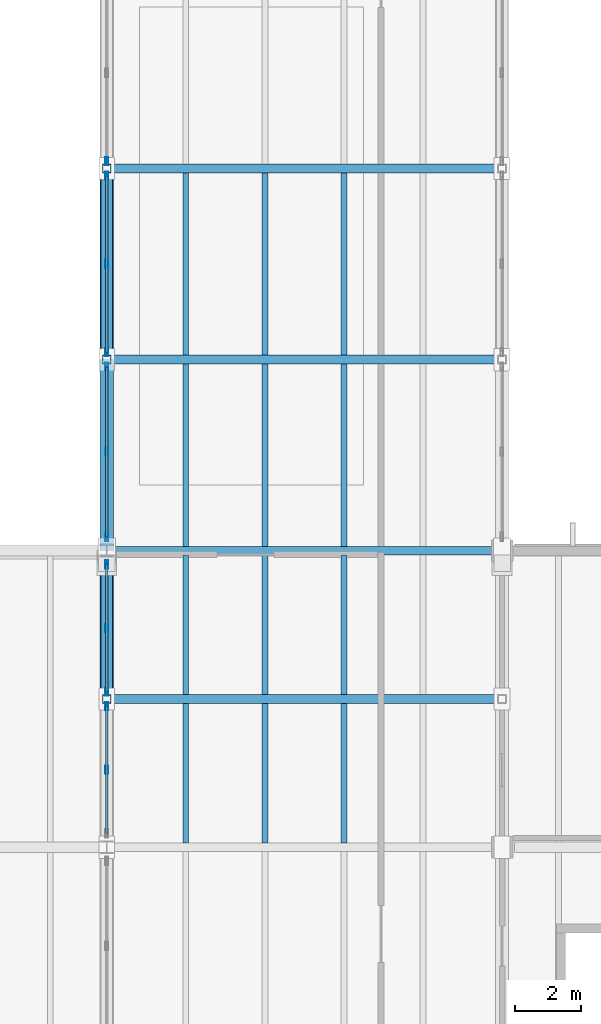
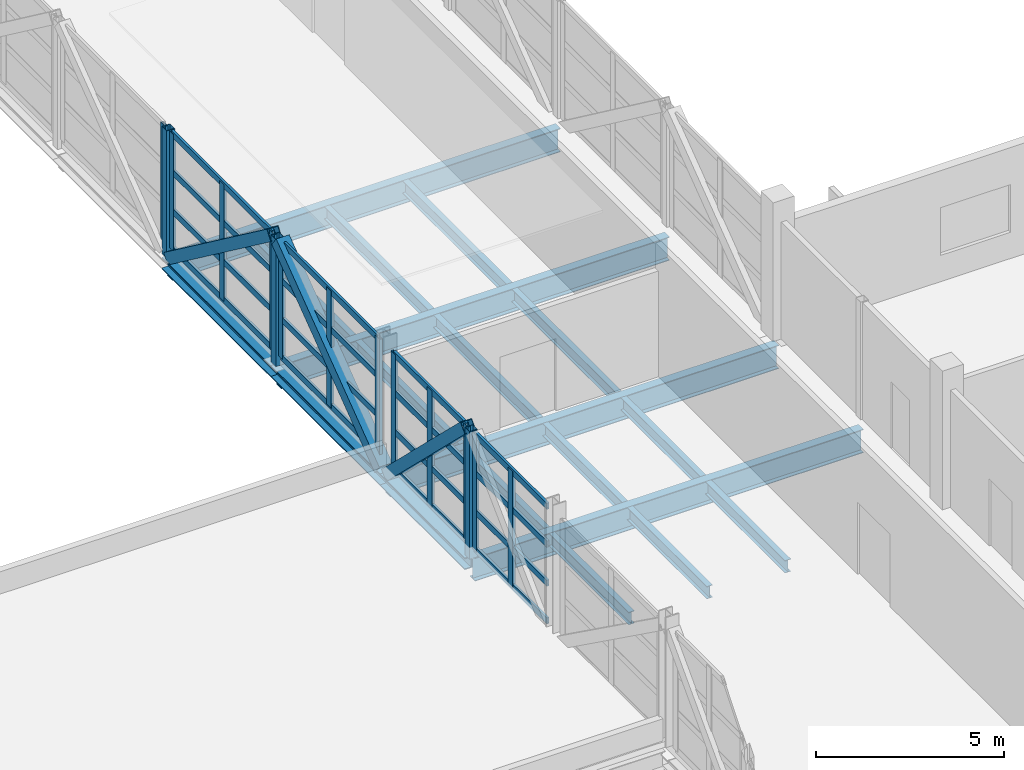
# One storey, part 13 of 63: 34 members, 19 beams, 5 elements without a shape of their own.
"""IFC4 building model written with IfcOpenShell, lengths in metres."""

import ifcopenshell
import ifcopenshell.guid

model = None  # the IFC model being written
_history = None  # IfcOwnerHistory: only IFC2X3 demands one
_inside = {}  # id of a spatial element -> (the spatial element, [elements in it])
_under = {}  # id of a project, library or spatial element -> (it, [spatial elements below it])
_declared = {}  # id of a project -> (the project, [libraries it declares])
_typed = {}  # id of a type object -> (the type object, [elements of that type])
_made_of = {}  # id of a material, layer set ... -> (it, [elements and type objects made of it])


def new_model(schema):
    """Start an empty IFC model of exactly this schema.

    Asked for "IFC4X3", IfcOpenShell would pick the latest addendum, in which some entities
    have other attributes; the version numbers below select the first issue.
    IFC2X3 requires an IfcOwnerHistory on every rooted entity: one is made here for all.
    """
    global model, _history
    if schema == "IFC4X3":
        model = ifcopenshell.file(schema_version=(4, 3, 0, 0))
    else:
        model = ifcopenshell.file(schema=schema)
    _inside.clear()
    _under.clear()
    _declared.clear()
    _typed.clear()
    _made_of.clear()
    _history = None
    if model.schema == "IFC2X3":
        org = make("IfcOrganization", Name="unknown")
        user = make(
            "IfcPersonAndOrganization",
            ThePerson=make("IfcPerson", FamilyName="unknown"),
            TheOrganization=org,
        )
        app = make(
            "IfcApplication",
            ApplicationDeveloper=org,
            Version="unknown",
            ApplicationFullName="unknown",
            ApplicationIdentifier="unknown",
        )
        _history = make(
            "IfcOwnerHistory",
            OwningUser=user,
            OwningApplication=app,
            ChangeAction="ADDED",
            CreationDate=0,
        )
    return model


def make(cls, **values):
    """One entity of the class cls with the attributes given. An attribute that is None is left unset."""
    return model.create_entity(
        cls, **{name: value for name, value in values.items() if value is not None}
    )


def rooted(cls, **values):
    """An entity with a GlobalId (a new one), such as an element, a storey or a relation."""
    return make(cls, GlobalId=ifcopenshell.guid.new(), OwnerHistory=_history, **values)


def si_unit(unit_type, name, prefix=None):
    """IfcSIUnit, for example si_unit("LENGTHUNIT", "METRE", prefix="MILLI")."""
    return make("IfcSIUnit", UnitType=unit_type, Prefix=prefix, Name=name)


def assignment(units):
    """IfcUnitAssignment: the units of a project."""
    return None if units is None else make("IfcUnitAssignment", Units=units)


def point(xyz):
    """IfcCartesianPoint."""
    return None if xyz is None else make("IfcCartesianPoint", Coordinates=xyz)


def direction(xyz):
    """IfcDirection."""
    return None if xyz is None else make("IfcDirection", DirectionRatios=xyz)


def frame(location, z_axis=None, x_axis=None):
    """IfcAxis2Placement3D, a coordinate frame: its origin and axes. An axis left out is left unset."""
    return make(
        "IfcAxis2Placement3D",
        Location=point(location),
        Axis=direction(z_axis),
        RefDirection=direction(x_axis),
    )


def frame_2d(location, x_axis=None):
    """IfcAxis2Placement2D, a coordinate frame in the plane: its origin and x axis."""
    return make(
        "IfcAxis2Placement2D", Location=point(location), RefDirection=direction(x_axis)
    )


def origin():
    """The frame at (0, 0, 0) with its axes left unset."""
    return frame((0.0, 0.0, 0.0))


def origin_2d():
    """The frame at (0, 0) in the plane with its x axis left unset."""
    return frame_2d((0.0, 0.0))


def place(relative_to, where):
    """IfcLocalPlacement: puts the frame where relative to a parent placement (None: the world)."""
    return make(
        "IfcLocalPlacement", PlacementRelTo=relative_to, RelativePlacement=where
    )


def context(
    kind, dimensions, precision=None, world=None, true_north=None, identifier=None
):
    """IfcGeometricRepresentationContext, for example the 3D "Model" context."""
    return make(
        "IfcGeometricRepresentationContext",
        ContextIdentifier=identifier,
        ContextType=kind,
        CoordinateSpaceDimension=dimensions,
        Precision=precision,
        WorldCoordinateSystem=world,
        TrueNorth=true_north,
    )


def subcontext(parent, identifier, kind, view, scale=None):
    """IfcGeometricRepresentationSubContext, for example "Body" below "Model"."""
    return make(
        "IfcGeometricRepresentationSubContext",
        ContextIdentifier=identifier,
        ContextType=kind,
        ParentContext=parent,
        TargetScale=scale,
        TargetView=view,
    )


def project(units=None, contexts=None):
    """IfcProject with its units and contexts."""
    return rooted(
        "IfcProject",
        Name="project",
        RepresentationContexts=contexts,
        UnitsInContext=assignment(units),
    )


def spatial(cls, under=None, at=None, **own):
    """A site, building, storey or space (cls), placed at a placement, below another one or the project."""
    s = rooted(cls, ObjectPlacement=at, **own)
    if under is not None:
        _under.setdefault(under.id(), (under, []))[1].append(s)
    return s


def profile(cls, at=None, kind="AREA", **sizes):
    """A parametric profile (cls). Its sizes go by their IFC names, for example OverallWidth=200.0."""
    return make(cls, ProfileType=kind, Position=at, **sizes)


def hollow_rectangle(**sizes):
    """IfcRectangleHollowProfileDef."""
    return profile("IfcRectangleHollowProfileDef", **sizes)


def i_section(**sizes):
    """IfcIShapeProfileDef."""
    return profile("IfcIShapeProfileDef", **sizes)


def extrude(swept, where, along, depth):
    """IfcExtrudedAreaSolid: the profile swept, set in the frame where, extruded along a direction by depth."""
    return make(
        "IfcExtrudedAreaSolid",
        SweptArea=swept,
        Position=where,
        ExtrudedDirection=direction(along),
        Depth=depth,
    )


def shape(context_of_items, identifier, shape_type, items):
    """IfcShapeRepresentation: the items that make up one representation, for example the "Body"."""
    return make(
        "IfcShapeRepresentation",
        ContextOfItems=context_of_items,
        RepresentationIdentifier=identifier,
        RepresentationType=shape_type,
        Items=items,
    )


def material(Name=None, Category=None):
    """IfcMaterial."""
    return make("IfcMaterial", Name=Name, Category=Category)


def material_profile(
    of_material, cross_section, Name=None, Category=None, Priority=None
):
    """IfcMaterialProfile: a cross section and its material."""
    return make(
        "IfcMaterialProfile",
        Name=Name,
        Material=of_material,
        Profile=cross_section,
        Priority=Priority,
        Category=Category,
    )


def profile_set(profiles, Name=None, composite=None):
    """IfcMaterialProfileSet."""
    return make(
        "IfcMaterialProfileSet",
        Name=Name,
        MaterialProfiles=profiles,
        CompositeProfile=composite,
    )


def made_of(thing, what):
    """Note that an element or type object is made of a material, layer set ...; save() writes the relation."""
    if what is not None:
        _made_of.setdefault(what.id(), (what, []))[1].append(thing)
    return thing


def type_object(cls, material=None, **own):
    """A type object (cls), such as IfcWallType, which elements share."""
    return made_of(rooted(cls, **own), material)


def element(
    cls,
    number,
    at=None,
    inside=None,
    cuts=None,
    type_object=None,
    material=None,
    context=None,
    identifier="Body",
    shape_type=None,
    held_by="IfcProductDefinitionShape",
    body=None,
    shapes=None,
    **own,
):
    """One element of the class cls, such as IfcWall. Its Tag is "e" and its number.

    at: its placement. inside: the storey or other place that contains it. cuts: it is an
    opening in that element (IfcRelVoidsElement). A single representation is given by context,
    identifier, shape_type and body (its items); several are given by shapes. held_by: the class
    of the entity that holds the representations. save() writes the other relations.
    """
    e = rooted(cls, Tag="e%d" % number, ObjectPlacement=at, **own)
    if body is not None:
        shapes = [shape(context, identifier, shape_type, body)]
    if shapes is not None:
        e.Representation = make(held_by, Representations=shapes)
    if inside is not None:
        _inside.setdefault(inside.id(), (inside, []))[1].append(e)
    if cuts is not None:
        rooted(
            "IfcRelVoidsElement", RelatingBuildingElement=cuts, RelatedOpeningElement=e
        )
    if type_object is not None:
        _typed.setdefault(type_object.id(), (type_object, []))[1].append(e)
    return made_of(e, material)


def aggregate(whole, parts):
    """IfcRelAggregates: a whole, such as a stair, and the parts it consists of."""
    return rooted("IfcRelAggregates", RelatingObject=whole, RelatedObjects=parts)


def save(model, path):
    """Write the relations noted so far, then the file.

    IfcRelAggregates (storeys below a building ...), IfcRelContainedInSpatialStructure (elements
    in a storey), IfcRelDefinesByType, IfcRelAssociatesMaterial and IfcRelDeclares: one each for
    every whole, place, type object, material and project.
    """
    for whole, parts in _under.values():
        aggregate(whole, parts)
    for where, things in _inside.values():
        rooted(
            "IfcRelContainedInSpatialStructure",
            RelatedElements=things,
            RelatingStructure=where,
        )
    for kind, things in _typed.values():
        rooted("IfcRelDefinesByType", RelatedObjects=things, RelatingType=kind)
    for what, things in _made_of.values():
        rooted("IfcRelAssociatesMaterial", RelatedObjects=things, RelatingMaterial=what)
    for by, libraries in _declared.values():
        rooted("IfcRelDeclares", RelatingContext=by, RelatedDefinitions=libraries)
    model.write(path)


model = new_model("IFC4")

# Units and contexts
model_context = context("Model", 3, precision=1e-05, world=origin(), true_north=direction((0.0, 1.0)))
body_context = subcontext(model_context, "Body", "Model", "MODEL_VIEW")
ifc_project = project(units=[si_unit("LENGTHUNIT", "METRE"), si_unit("AREAUNIT", "SQUARE_METRE"), si_unit("VOLUMEUNIT", "CUBIC_METRE"), si_unit("PLANEANGLEUNIT", "RADIAN"), si_unit("MASSUNIT", "GRAM", prefix="KILO")], contexts=[model_context])

# Site, building, storey
site_placement = place(None, origin())
site = spatial("IfcSite", under=ifc_project, at=site_placement, CompositionType="ELEMENT")
building_placement = place(site_placement, origin())
building = spatial("IfcBuilding", under=site, at=building_placement, Name="Kelmvaro Bay Concert Hall", CompositionType="ELEMENT")
storey_placement = place(building_placement, frame((0.0, 0.0, 13.800048828125)))
storey = spatial("IfcBuildingStorey", under=building, at=storey_placement, Name="L03", CompositionType="ELEMENT", Elevation=13.800048828125)

# Beams
ifc_material_1 = material(Name="Steel ASTM A992 Grade 50", Category="steel")
ifc_material_profile_1 = material_profile(ifc_material_1, i_section(OverallWidth=0.177978515625, OverallDepth=0.406005859375, WebThickness=0.0078125, FlangeThickness=0.0126953125, at=origin_2d()), Name="W16X40")
ifc_profile_set_1 = profile_set([ifc_material_profile_1], Name="Steel ASTM A992 Grade 50")
beam_type_1 = type_object("IfcBeamType", Name="Bridge Deck Floor Joist W16x40", PredefinedType="JOIST", material=ifc_profile_set_1)
for number, where, z_axis, x_axis, name in (
    (1, (122.39990234375, 30.133544921875, -0.532958984375), (0.0, 1.0, 0.0), (-1.0, 0.0, 0.0), "Bridge Deck Joist L03-07"),
    (2, (124.800048828125, 30.133544921875, -0.532958984375), (0.0, 1.0, 0.0), (-1.0, 0.0, 0.0), "Bridge Deck Joist L03-07"),
    (3, (127.199951171875, 30.133544921875, -0.532958984375), (0.0, 1.0, 0.0), (-1.0, 0.0, 0.0), "Bridge Deck Joist L03-07"),
    (4, (122.39990234375, 34.633544921875, -0.532958984375), (0.0, 1.0, 0.0), (-1.0, 0.0, 0.0), "Bridge Deck Joist L03-08"),
    (5, (124.800048828125, 34.633544921875, -0.532958984375), (0.0, 1.0, 0.0), (-1.0, 0.0, 0.0), "Bridge Deck Joist L03-08"),
    (6, (127.199951171875, 34.633544921875, -0.532958984375), (0.0, 1.0, 0.0), (-1.0, 0.0, 0.0), "Bridge Deck Joist L03-08"),
):
    element("IfcBeam", number, at=place(storey_placement, frame(where, z_axis=z_axis, x_axis=x_axis)), inside=storey, type_object=beam_type_1, Name=name, PredefinedType="JOIST", context=body_context, shape_type="SweptSolid", body=[
        extrude(i_section(OverallWidth=0.177978515625, OverallDepth=0.406005859375, WebThickness=0.0078125, FlangeThickness=0.0126953125, at=origin_2d()), origin(), (0.0, 0.0, 1.0), 4.23291015625),
    ])
for number, where, z_axis, x_axis, name in (
    (7, (122.39990234375, 39.133544921875, -0.532958984375), (0.0, 1.0, 0.0), (-1.0, 0.0, 0.0), "Bridge Deck Joist L03-09"),
    (8, (124.800048828125, 39.133544921875, -0.532958984375), (0.0, 1.0, 0.0), (-1.0, 0.0, 0.0), "Bridge Deck Joist L03-09"),
    (9, (127.199951171875, 39.133544921875, -0.532958984375), (0.0, 1.0, 0.0), (-1.0, 0.0, 0.0), "Bridge Deck Joist L03-09"),
    (10, (122.39990234375, 44.93359375, -0.532958984375), (0.0, 1.0, 0.0), (-1.0, 0.0, 0.0), "Bridge Deck Joist L03-10"),
    (11, (124.800048828125, 44.93359375, -0.532958984375), (0.0, 1.0, 0.0), (-1.0, 0.0, 0.0), "Bridge Deck Joist L03-10"),
    (12, (127.199951171875, 44.93359375, -0.532958984375), (0.0, 1.0, 0.0), (-1.0, 0.0, 0.0), "Bridge Deck Joist L03-10"),
):
    element("IfcBeam", number, at=place(storey_placement, frame(where, z_axis=z_axis, x_axis=x_axis)), inside=storey, type_object=beam_type_1, Name=name, PredefinedType="JOIST", context=body_context, shape_type="SweptSolid", body=[
        extrude(i_section(OverallWidth=0.177978515625, OverallDepth=0.406005859375, WebThickness=0.0078125, FlangeThickness=0.0126953125, at=origin_2d()), origin(), (0.0, 0.0, 1.0), 5.532958984375),
    ])

# Member
ifc_material_2 = material(Name="Steel ASTM A500 Grade C", Category="steel")
ifc_material_profile_2 = material_profile(ifc_material_2, hollow_rectangle(XDim=0.39990234375, YDim=0.39990234375, WallThickness=0.01611328125, at=origin_2d()), Name="HSS400X400X16")
ifc_profile_set_2 = profile_set([ifc_material_profile_2], Name="Steel ASTM A500 Grade C")
member_type_1 = type_object("IfcMemberType", Name="Bridge Heavy Web Diagonal HSS400x400x16", PredefinedType="BRACE", material=ifc_profile_set_2)
member_1_placement = place(storey_placement, frame((120.0, 39.1591796875, -0.295654296875), z_axis=(0.0, 0.802031459951, 0.597281790488), x_axis=(-1.0, 0.0, 0.0)))
element("IfcMember", 13, at=member_1_placement, inside=storey, type_object=member_type_1, Name="Bridge Truss W Web Diagonal 09", PredefinedType="BRACE", context=body_context, shape_type="SweptSolid", body=[
    extrude(hollow_rectangle(XDim=0.39990234375, YDim=0.39990234375, WallThickness=0.01611328125, at=origin_2d()), origin(), (0.0, 0.0, 1.0), 6.834716796875),
])

# Curtain wall, members
ifc_material_3 = material(Name="Anodised Aluminium and Low-E Insulated Glazing", Category="aluminium")
curtain_wall_type = type_object("IfcCurtainWallType", Name="Rehearsal Bridge Truss Curtain Wall 4020", PredefinedType="USERDEFINED", material=ifc_material_3)
curtain_wall_1_placement = place(storey_placement, origin())
curtain_wall_1 = element("IfcCurtainWall", 14, at=curtain_wall_1_placement, inside=storey, type_object=curtain_wall_type, Name="Unitised Curtain Wall CW-BRG-W07", ObjectType="UNITISED GLAZING", PredefinedType="USERDEFINED")
ifc_material_4 = material(Name="Anodised Extruded Aluminium 6063-T6", Category="aluminium")
ifc_material_profile_3 = material_profile(ifc_material_4, hollow_rectangle(XDim=0.080078125, YDim=0.25, WallThickness=0.005615234375, at=origin_2d()), Name="ALU-MUL-250X80")
ifc_profile_set_3 = profile_set([ifc_material_profile_3], Name="Anodised Extruded Aluminium 6063-T6")
member_type_2 = type_object("IfcMemberType", Name="Bridge Hurricane Mullion ALU 250x80", PredefinedType="MULLION", material=ifc_profile_set_3)
member_2_placement = place(storey_placement, frame((120.0, 32.35009765625, 0.0), z_axis=(0.0, 0.0, 1.0), x_axis=(1.0, 0.0, 0.0)))
member_2 = element("IfcMember", 15, at=member_2_placement, type_object=member_type_2, Name="CW-BRG-W07 Mullion 02", PredefinedType="MULLION", context=body_context, shape_type="SweptSolid", body=[
    extrude(hollow_rectangle(XDim=0.080078125, YDim=0.25, WallThickness=0.005615234375, at=origin_2d()), origin(), (0.0, 0.0, 1.0), 3.800048828125),
])
member_3_placement = place(storey_placement, frame((120.0, 34.280029296875, 0.0), z_axis=(0.0, 0.0, 1.0), x_axis=(1.0, 0.0, 0.0)))
member_3 = element("IfcMember", 16, at=member_3_placement, type_object=member_type_2, Name="CW-BRG-W07 Mullion 03", PredefinedType="MULLION", context=body_context, shape_type="SweptSolid", body=[
    extrude(hollow_rectangle(XDim=0.080078125, YDim=0.25, WallThickness=0.005615234375, at=origin_2d()), origin(), (0.0, 0.0, 1.0), 3.800048828125),
])

curtain_wall_2_placement = place(storey_placement, origin())
curtain_wall_2 = element("IfcCurtainWall", 17, at=curtain_wall_2_placement, inside=storey, type_object=curtain_wall_type, Name="Unitised Curtain Wall CW-BRG-W08", ObjectType="UNITISED GLAZING", PredefinedType="USERDEFINED")
member_4_placement = place(storey_placement, frame((120.0, 34.719970703125, 0.0), z_axis=(0.0, 0.0, 1.0), x_axis=(1.0, 0.0, 0.0)))
member_4 = element("IfcMember", 18, at=member_4_placement, type_object=member_type_2, Name="CW-BRG-W08 Mullion 01", PredefinedType="MULLION", context=body_context, shape_type="SweptSolid", body=[
    extrude(hollow_rectangle(XDim=0.080078125, YDim=0.25, WallThickness=0.005615234375, at=origin_2d()), origin(), (0.0, 0.0, 1.0), 3.800048828125),
])
member_5_placement = place(storey_placement, frame((120.0, 36.64990234375, 0.0), z_axis=(0.0, 0.0, 1.0), x_axis=(1.0, 0.0, 0.0)))
member_5 = element("IfcMember", 19, at=member_5_placement, type_object=member_type_2, Name="CW-BRG-W08 Mullion 02", PredefinedType="MULLION", context=body_context, shape_type="SweptSolid", body=[
    extrude(hollow_rectangle(XDim=0.080078125, YDim=0.25, WallThickness=0.005615234375, at=origin_2d()), origin(), (0.0, 0.0, 1.0), 3.800048828125),
])
member_6_placement = place(storey_placement, frame((120.0, 38.580078125, 0.0), z_axis=(0.0, 0.0, 1.0), x_axis=(1.0, 0.0, 0.0)))
member_6 = element("IfcMember", 20, at=member_6_placement, type_object=member_type_2, Name="CW-BRG-W08 Mullion 03", PredefinedType="MULLION", context=body_context, shape_type="SweptSolid", body=[
    extrude(hollow_rectangle(XDim=0.080078125, YDim=0.25, WallThickness=0.005615234375, at=origin_2d()), origin(), (0.0, 0.0, 1.0), 3.800048828125),
])

curtain_wall_3_placement = place(storey_placement, origin())
curtain_wall_3 = element("IfcCurtainWall", 21, at=curtain_wall_3_placement, inside=storey, type_object=curtain_wall_type, Name="Unitised Curtain Wall CW-BRG-W09", ObjectType="UNITISED GLAZING", PredefinedType="USERDEFINED")
member_7_placement = place(storey_placement, frame((120.0, 39.419921875, 0.0), z_axis=(0.0, 0.0, 1.0), x_axis=(1.0, 0.0, 0.0)))
member_7 = element("IfcMember", 22, at=member_7_placement, type_object=member_type_2, Name="CW-BRG-W09 Mullion 01", PredefinedType="MULLION", context=body_context, shape_type="SweptSolid", body=[
    extrude(hollow_rectangle(XDim=0.080078125, YDim=0.25, WallThickness=0.005615234375, at=origin_2d()), origin(), (0.0, 0.0, 1.0), 3.800048828125),
])
member_8_placement = place(storey_placement, frame((120.0, 42.0, 0.0), z_axis=(0.0, 0.0, 1.0), x_axis=(1.0, 0.0, 0.0)))
member_8 = element("IfcMember", 23, at=member_8_placement, type_object=member_type_2, Name="CW-BRG-W09 Mullion 02", PredefinedType="MULLION", context=body_context, shape_type="SweptSolid", body=[
    extrude(hollow_rectangle(XDim=0.080078125, YDim=0.25, WallThickness=0.005615234375, at=origin_2d()), origin(), (0.0, 0.0, 1.0), 3.800048828125),
])
member_9_placement = place(storey_placement, frame((120.0, 44.580078125, 0.0), z_axis=(0.0, 0.0, 1.0), x_axis=(1.0, 0.0, 0.0)))
member_9 = element("IfcMember", 24, at=member_9_placement, type_object=member_type_2, Name="CW-BRG-W09 Mullion 03", PredefinedType="MULLION", context=body_context, shape_type="SweptSolid", body=[
    extrude(hollow_rectangle(XDim=0.080078125, YDim=0.25, WallThickness=0.005615234375, at=origin_2d()), origin(), (0.0, 0.0, 1.0), 3.800048828125),
])

curtain_wall_4_placement = place(storey_placement, origin())
curtain_wall_4 = element("IfcCurtainWall", 25, at=curtain_wall_4_placement, inside=storey, type_object=curtain_wall_type, Name="Unitised Curtain Wall CW-BRG-W10", ObjectType="UNITISED GLAZING", PredefinedType="USERDEFINED")
member_10_placement = place(storey_placement, frame((120.0, 45.02001953125, 0.0), z_axis=(0.0, 0.0, 1.0), x_axis=(1.0, 0.0, 0.0)))
member_10 = element("IfcMember", 26, at=member_10_placement, type_object=member_type_2, Name="CW-BRG-W10 Mullion 01", PredefinedType="MULLION", context=body_context, shape_type="SweptSolid", body=[
    extrude(hollow_rectangle(XDim=0.080078125, YDim=0.25, WallThickness=0.005615234375, at=origin_2d()), origin(), (0.0, 0.0, 1.0), 3.800048828125),
])
member_11_placement = place(storey_placement, frame((120.0, 47.699951171875, 0.0), z_axis=(0.0, 0.0, 1.0), x_axis=(1.0, 0.0, 0.0)))
member_11 = element("IfcMember", 27, at=member_11_placement, type_object=member_type_2, Name="CW-BRG-W10 Mullion 02", PredefinedType="MULLION", context=body_context, shape_type="SweptSolid", body=[
    extrude(hollow_rectangle(XDim=0.080078125, YDim=0.25, WallThickness=0.005615234375, at=origin_2d()), origin(), (0.0, 0.0, 1.0), 3.800048828125),
])
member_12_placement = place(storey_placement, frame((120.0, 50.3798828125, 0.0), z_axis=(0.0, 0.0, 1.0), x_axis=(1.0, 0.0, 0.0)))
member_12 = element("IfcMember", 28, at=member_12_placement, type_object=member_type_2, Name="CW-BRG-W10 Mullion 03", PredefinedType="MULLION", context=body_context, shape_type="SweptSolid", body=[
    extrude(hollow_rectangle(XDim=0.080078125, YDim=0.25, WallThickness=0.005615234375, at=origin_2d()), origin(), (0.0, 0.0, 1.0), 3.800048828125),
])

# Curtain wall, member
curtain_wall_5_placement = place(storey_placement, origin())
curtain_wall_5 = element("IfcCurtainWall", 29, at=curtain_wall_5_placement, inside=storey, type_object=curtain_wall_type, Name="Unitised Curtain Wall CW-BRG-W11", ObjectType="UNITISED GLAZING", PredefinedType="USERDEFINED")
member_13_placement = place(storey_placement, frame((120.0, 50.820068359375, 0.0), z_axis=(0.0, 0.0, 1.0), x_axis=(1.0, 0.0, 0.0)))
member_13 = element("IfcMember", 30, at=member_13_placement, type_object=member_type_2, Name="CW-BRG-W11 Mullion 01", PredefinedType="MULLION", context=body_context, shape_type="SweptSolid", body=[
    extrude(hollow_rectangle(XDim=0.080078125, YDim=0.25, WallThickness=0.005615234375, at=origin_2d()), origin(), (0.0, 0.0, 1.0), 3.800048828125),
])
aggregate(curtain_wall_5, [member_13])

# Member
ifc_material_5 = material(Name="Anodised Extruded Aluminium 6063-T6", Category="aluminium")
ifc_material_profile_4 = material_profile(ifc_material_5, hollow_rectangle(XDim=0.074951171875, YDim=0.199951171875, WallThickness=0.0048828125, at=origin_2d()), Name="ALU-TRN-200X75")
ifc_profile_set_4 = profile_set([ifc_material_profile_4], Name="Anodised Extruded Aluminium 6063-T6")
member_type_3 = type_object("IfcMemberType", Name="Bridge Hurricane Transom ALU 200x75", PredefinedType="USERDEFINED", material=ifc_profile_set_4)
member_14_placement = place(storey_placement, frame((120.0, 30.419921875, 0.0400390625), z_axis=(0.0, 1.0, 0.0), x_axis=(-1.0, 0.0, 0.0)))
member_14 = element("IfcMember", 31, at=member_14_placement, type_object=member_type_3, Name="CW-BRG-W07 Transom 01", ObjectType="TRANSOM", PredefinedType="USERDEFINED", context=body_context, shape_type="SweptSolid", body=[
    extrude(hollow_rectangle(XDim=0.074951171875, YDim=0.199951171875, WallThickness=0.0048828125, at=origin_2d()), origin(), (0.0, 0.0, 1.0), 3.860107421875),
])

member_15_placement = place(storey_placement, frame((120.0, 30.419921875, 1.2666015625), z_axis=(0.0, 1.0, 0.0), x_axis=(-1.0, 0.0, 0.0)))
member_15 = element("IfcMember", 32, at=member_15_placement, type_object=member_type_3, Name="CW-BRG-W07 Transom 02", ObjectType="TRANSOM", PredefinedType="USERDEFINED", context=body_context, shape_type="SweptSolid", body=[
    extrude(hollow_rectangle(XDim=0.074951171875, YDim=0.199951171875, WallThickness=0.0048828125, at=origin_2d()), origin(), (0.0, 0.0, 1.0), 3.860107421875),
])

member_16_placement = place(storey_placement, frame((120.0, 30.419921875, 2.533203125), z_axis=(0.0, 1.0, 0.0), x_axis=(-1.0, 0.0, 0.0)))
member_16 = element("IfcMember", 33, at=member_16_placement, type_object=member_type_3, Name="CW-BRG-W07 Transom 03", ObjectType="TRANSOM", PredefinedType="USERDEFINED", context=body_context, shape_type="SweptSolid", body=[
    extrude(hollow_rectangle(XDim=0.074951171875, YDim=0.199951171875, WallThickness=0.0048828125, at=origin_2d()), origin(), (0.0, 0.0, 1.0), 3.860107421875),
])

member_17_placement = place(storey_placement, frame((120.0, 30.419921875, 3.760009765625), z_axis=(0.0, 1.0, 0.0), x_axis=(-1.0, 0.0, 0.0)))
member_17 = element("IfcMember", 34, at=member_17_placement, type_object=member_type_3, Name="CW-BRG-W07 Transom 04", ObjectType="TRANSOM", PredefinedType="USERDEFINED", context=body_context, shape_type="SweptSolid", body=[
    extrude(hollow_rectangle(XDim=0.074951171875, YDim=0.199951171875, WallThickness=0.0048828125, at=origin_2d()), origin(), (0.0, 0.0, 1.0), 3.860107421875),
])

aggregate(curtain_wall_1, [member_2, member_3, member_14, member_15, member_16, member_17])

member_18_placement = place(storey_placement, frame((120.0, 34.719970703125, 0.0400390625), z_axis=(0.0, 1.0, 0.0), x_axis=(-1.0, 0.0, 0.0)))
member_18 = element("IfcMember", 35, at=member_18_placement, type_object=member_type_3, Name="CW-BRG-W08 Transom 01", ObjectType="TRANSOM", PredefinedType="USERDEFINED", context=body_context, shape_type="SweptSolid", body=[
    extrude(hollow_rectangle(XDim=0.074951171875, YDim=0.199951171875, WallThickness=0.0048828125, at=origin_2d()), origin(), (0.0, 0.0, 1.0), 3.860107421875),
])

member_19_placement = place(storey_placement, frame((120.0, 34.719970703125, 1.2666015625), z_axis=(0.0, 1.0, 0.0), x_axis=(-1.0, 0.0, 0.0)))
member_19 = element("IfcMember", 36, at=member_19_placement, type_object=member_type_3, Name="CW-BRG-W08 Transom 02", ObjectType="TRANSOM", PredefinedType="USERDEFINED", context=body_context, shape_type="SweptSolid", body=[
    extrude(hollow_rectangle(XDim=0.074951171875, YDim=0.199951171875, WallThickness=0.0048828125, at=origin_2d()), origin(), (0.0, 0.0, 1.0), 3.860107421875),
])

member_20_placement = place(storey_placement, frame((120.0, 34.719970703125, 2.533203125), z_axis=(0.0, 1.0, 0.0), x_axis=(-1.0, 0.0, 0.0)))
member_20 = element("IfcMember", 37, at=member_20_placement, type_object=member_type_3, Name="CW-BRG-W08 Transom 03", ObjectType="TRANSOM", PredefinedType="USERDEFINED", context=body_context, shape_type="SweptSolid", body=[
    extrude(hollow_rectangle(XDim=0.074951171875, YDim=0.199951171875, WallThickness=0.0048828125, at=origin_2d()), origin(), (0.0, 0.0, 1.0), 3.860107421875),
])

member_21_placement = place(storey_placement, frame((120.0, 34.719970703125, 3.760009765625), z_axis=(0.0, 1.0, 0.0), x_axis=(-1.0, 0.0, 0.0)))
member_21 = element("IfcMember", 38, at=member_21_placement, type_object=member_type_3, Name="CW-BRG-W08 Transom 04", ObjectType="TRANSOM", PredefinedType="USERDEFINED", context=body_context, shape_type="SweptSolid", body=[
    extrude(hollow_rectangle(XDim=0.074951171875, YDim=0.199951171875, WallThickness=0.0048828125, at=origin_2d()), origin(), (0.0, 0.0, 1.0), 3.860107421875),
])

aggregate(curtain_wall_2, [member_4, member_5, member_6, member_18, member_19, member_20, member_21])

member_22_placement = place(storey_placement, frame((120.0, 39.419921875, 0.0400390625), z_axis=(0.0, 1.0, 0.0), x_axis=(-1.0, 0.0, 0.0)))
member_22 = element("IfcMember", 39, at=member_22_placement, type_object=member_type_3, Name="CW-BRG-W09 Transom 01", ObjectType="TRANSOM", PredefinedType="USERDEFINED", context=body_context, shape_type="SweptSolid", body=[
    extrude(hollow_rectangle(XDim=0.074951171875, YDim=0.199951171875, WallThickness=0.0048828125, at=origin_2d()), origin(), (0.0, 0.0, 1.0), 5.16015625),
])

member_23_placement = place(storey_placement, frame((120.0, 39.419921875, 1.2666015625), z_axis=(0.0, 1.0, 0.0), x_axis=(-1.0, 0.0, 0.0)))
member_23 = element("IfcMember", 40, at=member_23_placement, type_object=member_type_3, Name="CW-BRG-W09 Transom 02", ObjectType="TRANSOM", PredefinedType="USERDEFINED", context=body_context, shape_type="SweptSolid", body=[
    extrude(hollow_rectangle(XDim=0.074951171875, YDim=0.199951171875, WallThickness=0.0048828125, at=origin_2d()), origin(), (0.0, 0.0, 1.0), 5.16015625),
])

member_24_placement = place(storey_placement, frame((120.0, 39.419921875, 2.533203125), z_axis=(0.0, 1.0, 0.0), x_axis=(-1.0, 0.0, 0.0)))
member_24 = element("IfcMember", 41, at=member_24_placement, type_object=member_type_3, Name="CW-BRG-W09 Transom 03", ObjectType="TRANSOM", PredefinedType="USERDEFINED", context=body_context, shape_type="SweptSolid", body=[
    extrude(hollow_rectangle(XDim=0.074951171875, YDim=0.199951171875, WallThickness=0.0048828125, at=origin_2d()), origin(), (0.0, 0.0, 1.0), 5.16015625),
])

member_25_placement = place(storey_placement, frame((120.0, 39.419921875, 3.760009765625), z_axis=(0.0, 1.0, 0.0), x_axis=(-1.0, 0.0, 0.0)))
member_25 = element("IfcMember", 42, at=member_25_placement, type_object=member_type_3, Name="CW-BRG-W09 Transom 04", ObjectType="TRANSOM", PredefinedType="USERDEFINED", context=body_context, shape_type="SweptSolid", body=[
    extrude(hollow_rectangle(XDim=0.074951171875, YDim=0.199951171875, WallThickness=0.0048828125, at=origin_2d()), origin(), (0.0, 0.0, 1.0), 5.16015625),
])

aggregate(curtain_wall_3, [member_7, member_8, member_9, member_22, member_23, member_24, member_25])

member_26_placement = place(storey_placement, frame((120.0, 45.02001953125, 0.0400390625), z_axis=(0.0, 1.0, 0.0), x_axis=(-1.0, 0.0, 0.0)))
member_26 = element("IfcMember", 43, at=member_26_placement, type_object=member_type_3, Name="CW-BRG-W10 Transom 01", ObjectType="TRANSOM", PredefinedType="USERDEFINED", context=body_context, shape_type="SweptSolid", body=[
    extrude(hollow_rectangle(XDim=0.074951171875, YDim=0.199951171875, WallThickness=0.0048828125, at=origin_2d()), origin(), (0.0, 0.0, 1.0), 5.35986328125),
])

member_27_placement = place(storey_placement, frame((120.0, 45.02001953125, 1.2666015625), z_axis=(0.0, 1.0, 0.0), x_axis=(-1.0, 0.0, 0.0)))
member_27 = element("IfcMember", 44, at=member_27_placement, type_object=member_type_3, Name="CW-BRG-W10 Transom 02", ObjectType="TRANSOM", PredefinedType="USERDEFINED", context=body_context, shape_type="SweptSolid", body=[
    extrude(hollow_rectangle(XDim=0.074951171875, YDim=0.199951171875, WallThickness=0.0048828125, at=origin_2d()), origin(), (0.0, 0.0, 1.0), 5.35986328125),
])

member_28_placement = place(storey_placement, frame((120.0, 45.02001953125, 2.533203125), z_axis=(0.0, 1.0, 0.0), x_axis=(-1.0, 0.0, 0.0)))
member_28 = element("IfcMember", 45, at=member_28_placement, type_object=member_type_3, Name="CW-BRG-W10 Transom 03", ObjectType="TRANSOM", PredefinedType="USERDEFINED", context=body_context, shape_type="SweptSolid", body=[
    extrude(hollow_rectangle(XDim=0.074951171875, YDim=0.199951171875, WallThickness=0.0048828125, at=origin_2d()), origin(), (0.0, 0.0, 1.0), 5.35986328125),
])

member_29_placement = place(storey_placement, frame((120.0, 45.02001953125, 3.760009765625), z_axis=(0.0, 1.0, 0.0), x_axis=(-1.0, 0.0, 0.0)))
member_29 = element("IfcMember", 46, at=member_29_placement, type_object=member_type_3, Name="CW-BRG-W10 Transom 04", ObjectType="TRANSOM", PredefinedType="USERDEFINED", context=body_context, shape_type="SweptSolid", body=[
    extrude(hollow_rectangle(XDim=0.074951171875, YDim=0.199951171875, WallThickness=0.0048828125, at=origin_2d()), origin(), (0.0, 0.0, 1.0), 5.35986328125),
])

aggregate(curtain_wall_4, [member_10, member_11, member_12, member_26, member_27, member_28, member_29])

# Members
ifc_material_6 = material(Name="Steel ASTM A500 Grade C", Category="steel")
ifc_material_profile_5 = material_profile(ifc_material_6, hollow_rectangle(XDim=0.35009765625, YDim=0.35009765625, WallThickness=0.01611328125, at=origin_2d()), Name="HSS350X350X16")
ifc_profile_set_5 = profile_set([ifc_material_profile_5], Name="Steel ASTM A500 Grade C")
member_type_4 = type_object("IfcMemberType", Name="Bridge Standard Web Diagonal HSS350x350x16", PredefinedType="BRACE", material=ifc_profile_set_5)
member_30_placement = place(storey_placement, frame((120.0, 34.6572265625, 3.7841796875), z_axis=(0.0, 0.716300803079, -0.697791630437), x_axis=(-1.0, 0.0, 0.0)))
element("IfcMember", 47, at=member_30_placement, inside=storey, type_object=member_type_4, Name="Bridge Truss W Web Diagonal 08", PredefinedType="BRACE", context=body_context, shape_type="SweptSolid", body=[
    extrude(hollow_rectangle(XDim=0.35009765625, YDim=0.35009765625, WallThickness=0.01611328125, at=origin_2d()), origin(), (0.0, 0.0, 1.0), 5.84326171875),
])
member_31_placement = place(storey_placement, frame((120.0, 44.959228515625, 3.78662109375), z_axis=(0.0, 0.802018716289, -0.597298902328), x_axis=(-1.0, 0.0, 0.0)))
element("IfcMember", 48, at=member_31_placement, inside=storey, type_object=member_type_4, Name="Bridge Truss W Web Diagonal 10", PredefinedType="BRACE", context=body_context, shape_type="SweptSolid", body=[
    extrude(hollow_rectangle(XDim=0.35009765625, YDim=0.35009765625, WallThickness=0.01611328125, at=origin_2d()), origin(), (0.0, 0.0, 1.0), 6.83447265625),
])

# Beams
ifc_material_7 = material(Name="Steel ASTM A992 Grade 50", Category="steel")
ifc_material_profile_6 = material_profile(ifc_material_7, i_section(OverallWidth=0.26708984375, OverallDepth=0.761962890625, WebThickness=0.014404296875, FlangeThickness=0.021484375, at=origin_2d()), Name="W30X116")
ifc_profile_set_6 = profile_set([ifc_material_profile_6], Name="Steel ASTM A992 Grade 50")
beam_type_2 = type_object("IfcBeamType", Name="Bridge Transverse Floor Girder W30x116", PredefinedType="BEAM", material=ifc_profile_set_6)
for number, where, z_axis, x_axis, name in (
    (49, (120.0400390625, 34.5, -0.7109375), (1.0, 0.0, 0.0), (0.0, 1.0, 0.0), "Bridge Transverse Floor Girder L03-08"),
    (50, (120.0400390625, 39.0, -0.7109375), (1.0, 0.0, 0.0), (0.0, 1.0, 0.0), "Bridge Transverse Floor Girder L03-09"),
    (51, (120.0400390625, 44.800048828125, -0.7109375), (1.0, 0.0, 0.0), (0.0, 1.0, 0.0), "Bridge Transverse Floor Girder L03-10"),
    (52, (120.0400390625, 50.60009765625, -0.7109375), (1.0, 0.0, 0.0), (0.0, 1.0, 0.0), "Bridge Transverse Floor Girder L03-11"),
):
    element("IfcBeam", number, at=place(storey_placement, frame(where, z_axis=z_axis, x_axis=x_axis)), inside=storey, type_object=beam_type_2, Name=name, PredefinedType="BEAM", context=body_context, shape_type="SweptSolid", body=[
        extrude(i_section(OverallWidth=0.26708984375, OverallDepth=0.761962890625, WebThickness=0.014404296875, FlangeThickness=0.021484375, at=origin_2d()), origin(), (0.0, 0.0, 1.0), 11.919921875),
    ])
ifc_material_8 = material(Name="Steel ASTM A992 Grade 50", Category="steel")
ifc_material_profile_7 = material_profile(ifc_material_8, i_section(OverallWidth=0.39892578125, OverallDepth=0.385986328125, WebThickness=0.02099609375, FlangeThickness=0.033203125, at=origin_2d()), Name="W14X176")
ifc_profile_set_7 = profile_set([ifc_material_profile_7], Name="Steel ASTM A992 Grade 50")
beam_type_3 = type_object("IfcBeamType", Name="Bridge Truss Bottom Chord W14x176", PredefinedType="BEAM", material=ifc_profile_set_7)
beam_placement = place(storey_placement, frame((120.0, 34.5, -0.52294921875), z_axis=(0.0, 1.0, 0.0), x_axis=(-1.0, 0.0, 0.0)))
element("IfcBeam", 53, at=beam_placement, inside=storey, type_object=beam_type_3, Name="Bridge Truss W Bottom Chord 08", PredefinedType="BEAM", context=body_context, shape_type="SweptSolid", body=[
    extrude(i_section(OverallWidth=0.39892578125, OverallDepth=0.385986328125, WebThickness=0.02099609375, FlangeThickness=0.033203125, at=origin_2d()), origin(), (0.0, 0.0, 1.0), 4.5),
])
for number, where, z_axis, x_axis, name in (
    (54, (120.0, 39.0, -0.52294921875), (0.0, 1.0, 0.0), (-1.0, 0.0, 0.0), "Bridge Truss W Bottom Chord 09"),
    (55, (120.0, 44.800048828125, -0.52294921875), (0.0, 1.0, 0.0), (-1.0, 0.0, 0.0), "Bridge Truss W Bottom Chord 10"),
):
    element("IfcBeam", number, at=place(storey_placement, frame(where, z_axis=z_axis, x_axis=x_axis)), inside=storey, type_object=beam_type_3, Name=name, PredefinedType="BEAM", context=body_context, shape_type="SweptSolid", body=[
        extrude(i_section(OverallWidth=0.39892578125, OverallDepth=0.385986328125, WebThickness=0.02099609375, FlangeThickness=0.033203125, at=origin_2d()), origin(), (0.0, 0.0, 1.0), 5.800048828125),
    ])

# Members
ifc_material_9 = material(Name="Steel ASTM A500 Grade C", Category="steel")
ifc_material_profile_8 = material_profile(ifc_material_9, hollow_rectangle(XDim=0.25, YDim=0.25, WallThickness=0.010009765625, at=origin_2d()), Name="HSS250X250X10")
ifc_profile_set_8 = profile_set([ifc_material_profile_8], Name="Steel ASTM A500 Grade C")
member_type_5 = type_object("IfcMemberType", Name="Bridge Truss Vertical Post HSS250x250x10", PredefinedType="STRUT", material=ifc_profile_set_8)
for number, where, z_axis, x_axis, name in (
    (56, (120.0, 34.5, -0.322021484375), (0.0, 0.0, 1.0), (1.0, 0.0, 0.0), "Bridge Truss W Vertical Post 08"),
    (57, (120.0, 44.800048828125, -0.322021484375), (0.0, 0.0, 1.0), (1.0, 0.0, 0.0), "Bridge Truss W Vertical Post 10"),
    (58, (120.0, 50.60009765625, -0.322021484375), (0.0, 0.0, 1.0), (1.0, 0.0, 0.0), "Bridge Truss W Vertical Post 11"),
):
    element("IfcMember", number, at=place(storey_placement, frame(where, z_axis=z_axis, x_axis=x_axis)), inside=storey, type_object=member_type_5, Name=name, PredefinedType="STRUT", context=body_context, shape_type="SweptSolid", body=[
        extrude(hollow_rectangle(XDim=0.25, YDim=0.25, WallThickness=0.010009765625, at=origin_2d()), origin(), (0.0, 0.0, 1.0), 4.135009765625),
    ])

save(model, "model.ifc")
